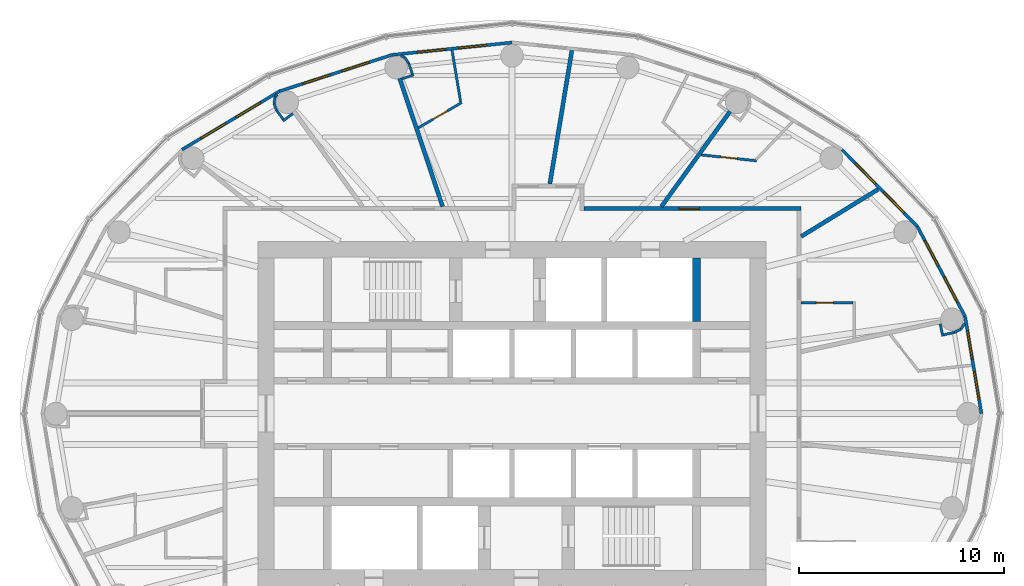
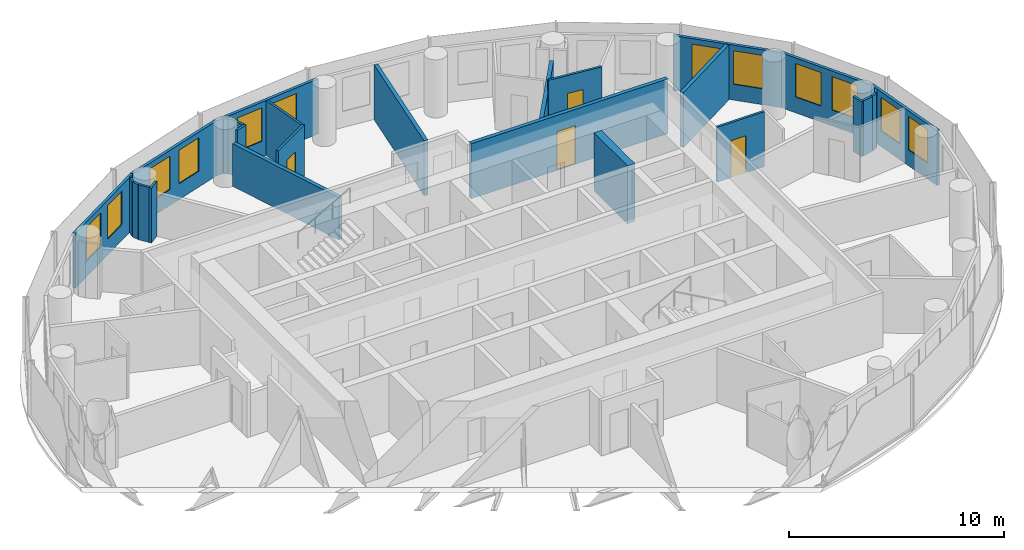
# One storey, part 11 of 13: 29 walls, 12 windows, 4 doors, 16 openings.
"""IFC4 building model written with IfcOpenShell, lengths in metres."""

from ifc_helpers import new_model, si_unit, direction, frame, frame_2d, origin, place, context, subcontext, project, spatial, rectangle, extrude, material, layer, layer_set, type_object, element, fill, save


model = new_model("IFC4")

# Units and contexts
model_context = context("Model", 3, precision=1e-05, world=origin(), true_north=direction((0.0, 1.0)))
body_context = subcontext(model_context, "Body", "Model", "MODEL_VIEW")
ifc_project = project(units=[si_unit("LENGTHUNIT", "METRE"), si_unit("AREAUNIT", "SQUARE_METRE"), si_unit("VOLUMEUNIT", "CUBIC_METRE"), si_unit("PLANEANGLEUNIT", "RADIAN"), si_unit("MASSUNIT", "GRAM", prefix="KILO")], contexts=[model_context])

# Site, building, storey
site_placement = place(None, origin())
site = spatial("IfcSite", under=ifc_project, at=site_placement, CompositionType="ELEMENT")
building_placement = place(site_placement, origin())
building = spatial("IfcBuilding", under=site, at=building_placement, Name="Hankou Lantern Tower", CompositionType="ELEMENT")
storey_placement = place(building_placement, frame((0.0, 0.0, 156.60009765625)))
storey = spatial("IfcBuildingStorey", under=building, at=storey_placement, Name="L41", CompositionType="ELEMENT", Elevation=156.60009765625)

# Wall
ifc_material_1 = material(Name="Concrete C60", Category="concrete")
ifc_layer_1 = layer(ifc_material_1, 0.39990234375)
ifc_layer_set_1 = layer_set([ifc_layer_1], Name="Concrete C60")
wall_type_1 = type_object("IfcWallType", Name="CW4 CORE CROSS WALL 400", PredefinedType="SHEAR", material=ifc_layer_set_1)
wall_1_placement = place(storey_placement, frame((9.0, 4.5, 0.0), z_axis=(0.0, 0.0, 1.0), x_axis=(0.0, 1.0, 0.0)))
element("IfcWall", 1, at=wall_1_placement, inside=storey, type_object=wall_type_1, Name="Core strip wall L41", PredefinedType="SHEAR", context=body_context, shape_type="SweptSolid", body=[
    extrude(rectangle(XDim=3.10009765625, YDim=0.39990234375, at=frame_2d((1.550048828125, 0.0))), origin(), (0.0, 0.0, 1.0), 3.2998046875),
])

# Wall, openings, windows
ifc_material_2 = material(Name="Aluminium spandrel panel on steel studs", Category="steel")
ifc_layer_2 = layer(ifc_material_2, 0.14990234375)
ifc_layer_set_2 = layer_set([ifc_layer_2], Name="Aluminium spandrel panel on steel studs")
wall_type_2 = type_object("IfcWallType", Name="EW1 INNER SKIN WALL 150", PredefinedType="ELEMENTEDWALL", material=ifc_layer_set_2)
wall_2_placement = place(storey_placement, frame((22.89990234375, 0.0, 0.0), z_axis=(0.0, 0.0, 1.0), x_axis=(-0.166162111254, 0.986098449843, 0.0)))
wall_2 = element("IfcWall", 2, at=wall_2_placement, inside=storey, type_object=wall_type_2, Name="Inner skin R01-R02 L41", PredefinedType="ELEMENTEDWALL", context=body_context, shape_type="SweptSolid", body=[
    extrude(rectangle(XDim=4.8046875, YDim=0.14990234375, at=frame_2d((2.40234375, 0.0))), origin(), (0.0, 0.0, 1.0), 3.119873046875),
])
opening_1_placement = place(wall_2_placement, frame((0.7021484375, 0.0, 0.89990234375)))
opening_1 = element("IfcOpeningElement", 3, at=opening_1_placement, cuts=wall_2, Name="Opening W3", PredefinedType="OPENING", context=body_context, shape_type="SweptSolid", body=[
    extrude(rectangle(XDim=1.39990234375, YDim=1.89990234375, at=frame_2d((0.699951171875, 0.949951171875))), frame((0.0, 0.0849609375, 0.0), z_axis=(0.0, -1.0, 0.0), x_axis=(1.0, 0.0, 0.0)), (0.0, 0.0, 1.0), 0.169921875),
])
opening_2_placement = place(wall_2_placement, frame((2.7021484375, 0.0, 0.89990234375)))
opening_2 = element("IfcOpeningElement", 4, at=opening_2_placement, cuts=wall_2, Name="Opening W3", PredefinedType="OPENING", context=body_context, shape_type="SweptSolid", body=[
    extrude(rectangle(XDim=1.39990234375, YDim=1.89990234375, at=frame_2d((0.699951171875, 0.949951171875))), frame((0.0, 0.0849609375, 0.0), z_axis=(0.0, -1.0, 0.0), x_axis=(1.0, 0.0, 0.0)), (0.0, 0.0, 1.0), 0.169921875),
])
ifc_material_3 = material(Name="Aluminium framed double glazed window", Category="aluminium")
window_type = type_object("IfcWindowType", Name="W3 GUEST ROOM WINDOW 1400X1900", PartitioningType="DOUBLE_PANEL_VERTICAL", PredefinedType="WINDOW", material=ifc_material_3)
window_1_placement = place(opening_1_placement, origin())
window_1 = element("IfcWindow", 5, at=window_1_placement, inside=storey, type_object=window_type, Name="Window R01.1 L41", OverallHeight=1.89990234375, OverallWidth=1.39990234375, PartitioningType="SINGLE_PANEL", PredefinedType="WINDOW", context=body_context, shape_type="SweptSolid", body=[
    extrude(rectangle(XDim=1.39990234375, YDim=1.89990234375, at=frame_2d((0.699951171875, 0.949951171875))), frame((0.0, 0.030029296875, 0.0), z_axis=(0.0, -1.0, 0.0), x_axis=(1.0, 0.0, 0.0)), (0.0, 0.0, 1.0), 0.06005859375),
])
fill(opening_1, window_1)
window_2_placement = place(opening_2_placement, origin())
window_2 = element("IfcWindow", 6, at=window_2_placement, inside=storey, type_object=window_type, Name="Window R01.2 L41", OverallHeight=1.89990234375, OverallWidth=1.39990234375, PartitioningType="SINGLE_PANEL", PredefinedType="WINDOW", context=body_context, shape_type="SweptSolid", body=[
    extrude(rectangle(XDim=1.39990234375, YDim=1.89990234375, at=frame_2d((0.699951171875, 0.949951171875))), frame((0.0, 0.030029296875, 0.0), z_axis=(0.0, -1.0, 0.0), x_axis=(1.0, 0.0, 0.0)), (0.0, 0.0, 1.0), 0.06005859375),
])
fill(opening_2, window_2)

wall_3_placement = place(storey_placement, frame((22.1015625, 4.73779296875, 0.0), z_axis=(0.0, 0.0, 1.0), x_axis=(-0.468428906714, 0.883501193748, 0.0)))
wall_3 = element("IfcWall", 7, at=wall_3_placement, inside=storey, type_object=wall_type_2, Name="Inner skin R02-R03 L41", PredefinedType="ELEMENTEDWALL", context=body_context, shape_type="SweptSolid", body=[
    extrude(rectangle(XDim=4.9736328125, YDim=0.14990234375, at=frame_2d((2.48681640625, 0.0))), origin(), (0.0, 0.0, 1.0), 3.119873046875),
])
opening_3_placement = place(wall_3_placement, frame((0.786865234375, 0.0, 0.89990234375)))
opening_3 = element("IfcOpeningElement", 8, at=opening_3_placement, cuts=wall_3, Name="Opening W3", PredefinedType="OPENING", context=body_context, shape_type="SweptSolid", body=[
    extrude(rectangle(XDim=1.39990234375, YDim=1.89990234375, at=frame_2d((0.699951171875, 0.949951171875))), frame((0.0, 0.0849609375, 0.0), z_axis=(0.0, -1.0, 0.0), x_axis=(1.0, 0.0, 0.0)), (0.0, 0.0, 1.0), 0.169921875),
])
opening_4_placement = place(wall_3_placement, frame((2.786865234375, 0.0, 0.89990234375)))
opening_4 = element("IfcOpeningElement", 9, at=opening_4_placement, cuts=wall_3, Name="Opening W3", PredefinedType="OPENING", context=body_context, shape_type="SweptSolid", body=[
    extrude(rectangle(XDim=1.39990234375, YDim=1.89990234375, at=frame_2d((0.699951171875, 0.949951171875))), frame((0.0, 0.0849609375, 0.0), z_axis=(0.0, -1.0, 0.0), x_axis=(1.0, 0.0, 0.0)), (0.0, 0.0, 1.0), 0.169921875),
])
window_3_placement = place(opening_3_placement, origin())
window_3 = element("IfcWindow", 10, at=window_3_placement, inside=storey, type_object=window_type, Name="Window R02.1 L41", OverallHeight=1.89990234375, OverallWidth=1.39990234375, PartitioningType="SINGLE_PANEL", PredefinedType="WINDOW", context=body_context, shape_type="SweptSolid", body=[
    extrude(rectangle(XDim=1.39990234375, YDim=1.89990234375, at=frame_2d((0.699951171875, 0.949951171875))), frame((0.0, 0.030029296875, 0.0), z_axis=(0.0, -1.0, 0.0), x_axis=(1.0, 0.0, 0.0)), (0.0, 0.0, 1.0), 0.06005859375),
])
fill(opening_3, window_3)
window_4_placement = place(opening_4_placement, origin())
window_4 = element("IfcWindow", 11, at=window_4_placement, inside=storey, type_object=window_type, Name="Window R02.2 L41", OverallHeight=1.89990234375, OverallWidth=1.39990234375, PartitioningType="SINGLE_PANEL", PredefinedType="WINDOW", context=body_context, shape_type="SweptSolid", body=[
    extrude(rectangle(XDim=1.39990234375, YDim=1.89990234375, at=frame_2d((0.699951171875, 0.949951171875))), frame((0.0, 0.030029296875, 0.0), z_axis=(0.0, -1.0, 0.0), x_axis=(1.0, 0.0, 0.0)), (0.0, 0.0, 1.0), 0.06005859375),
])
fill(opening_4, window_4)

wall_4_placement = place(storey_placement, frame((19.771728515625, 9.132080078125, 0.0), z_axis=(0.0, 0.0, 1.0), x_axis=(-0.700727467776, 0.71342905457, 0.0)))
wall_4 = element("IfcWall", 12, at=wall_4_placement, inside=storey, type_object=wall_type_2, Name="Inner skin R03-R04 L41", PredefinedType="ELEMENTEDWALL", context=body_context, shape_type="SweptSolid", body=[
    extrude(rectangle(XDim=5.247314453125, YDim=0.14990234375, at=frame_2d((2.62353515625, 0.0))), origin(), (0.0, 0.0, 1.0), 3.119873046875),
])
opening_5_placement = place(wall_4_placement, frame((0.923583984375, 0.0, 0.89990234375)))
opening_5 = element("IfcOpeningElement", 13, at=opening_5_placement, cuts=wall_4, Name="Opening W3", PredefinedType="OPENING", context=body_context, shape_type="SweptSolid", body=[
    extrude(rectangle(XDim=1.39990234375, YDim=1.89990234375, at=frame_2d((0.699951171875, 0.949951171875))), frame((0.0, 0.0849609375, 0.0), z_axis=(0.0, -1.0, 0.0), x_axis=(1.0, 0.0, 0.0)), (0.0, 0.0, 1.0), 0.169921875),
])
opening_6_placement = place(wall_4_placement, frame((2.923583984375, 0.0, 0.89990234375)))
opening_6 = element("IfcOpeningElement", 14, at=opening_6_placement, cuts=wall_4, Name="Opening W3", PredefinedType="OPENING", context=body_context, shape_type="SweptSolid", body=[
    extrude(rectangle(XDim=1.39990234375, YDim=1.89990234375, at=frame_2d((0.699951171875, 0.949951171875))), frame((0.0, 0.0849609375, 0.0), z_axis=(0.0, -1.0, 0.0), x_axis=(1.0, 0.0, 0.0)), (0.0, 0.0, 1.0), 0.169921875),
])
window_5_placement = place(opening_5_placement, origin())
window_5 = element("IfcWindow", 15, at=window_5_placement, inside=storey, type_object=window_type, Name="Window R03.1 L41", OverallHeight=1.89990234375, OverallWidth=1.39990234375, PartitioningType="SINGLE_PANEL", PredefinedType="WINDOW", context=body_context, shape_type="SweptSolid", body=[
    extrude(rectangle(XDim=1.39990234375, YDim=1.89990234375, at=frame_2d((0.699951171875, 0.949951171875))), frame((0.0, 0.030029296875, 0.0), z_axis=(0.0, -1.0, 0.0), x_axis=(1.0, 0.0, 0.0)), (0.0, 0.0, 1.0), 0.06005859375),
])
fill(opening_5, window_5)
window_6_placement = place(opening_6_placement, origin())
window_6 = element("IfcWindow", 16, at=window_6_placement, inside=storey, type_object=window_type, Name="Window R03.2 L41", OverallHeight=1.89990234375, OverallWidth=1.39990234375, PartitioningType="SINGLE_PANEL", PredefinedType="WINDOW", context=body_context, shape_type="SweptSolid", body=[
    extrude(rectangle(XDim=1.39990234375, YDim=1.89990234375, at=frame_2d((0.699951171875, 0.949951171875))), frame((0.0, 0.030029296875, 0.0), z_axis=(0.0, -1.0, 0.0), x_axis=(1.0, 0.0, 0.0)), (0.0, 0.0, 1.0), 0.06005859375),
])
fill(opening_6, window_6)

wall_5_placement = place(storey_placement, frame((0.0, 18.10009765625, 0.0), z_axis=(0.0, 0.0, 1.0), x_axis=(-0.994751738032, -0.102318032045, 0.0)))
wall_5 = element("IfcWall", 17, at=wall_5_placement, inside=storey, type_object=wall_type_2, Name="Inner skin R07-R08 L41", PredefinedType="ELEMENTEDWALL", context=body_context, shape_type="SweptSolid", body=[
    extrude(rectangle(XDim=5.891357421875, YDim=0.14990234375, at=frame_2d((2.94580078125, 0.0))), origin(), (0.0, 0.0, 1.0), 3.119873046875),
])
opening_7_placement = place(wall_5_placement, frame((1.24560546875, 0.0, 0.89990234375)))
opening_7 = element("IfcOpeningElement", 18, at=opening_7_placement, cuts=wall_5, Name="Opening W3", PredefinedType="OPENING", context=body_context, shape_type="SweptSolid", body=[
    extrude(rectangle(XDim=1.39990234375, YDim=1.89990234375, at=frame_2d((0.699951171875, 0.949951171875))), frame((0.0, 0.0849609375, 0.0), z_axis=(0.0, -1.0, 0.0), x_axis=(1.0, 0.0, 0.0)), (0.0, 0.0, 1.0), 0.169921875),
])
opening_8_placement = place(wall_5_placement, frame((3.24560546875, 0.0, 0.89990234375)))
opening_8 = element("IfcOpeningElement", 19, at=opening_8_placement, cuts=wall_5, Name="Opening W3", PredefinedType="OPENING", context=body_context, shape_type="SweptSolid", body=[
    extrude(rectangle(XDim=1.39990234375, YDim=1.89990234375, at=frame_2d((0.699951171875, 0.949951171875))), frame((0.0, 0.0849609375, 0.0), z_axis=(0.0, -1.0, 0.0), x_axis=(1.0, 0.0, 0.0)), (0.0, 0.0, 1.0), 0.169921875),
])
window_7_placement = place(opening_7_placement, origin())
window_7 = element("IfcWindow", 20, at=window_7_placement, inside=storey, type_object=window_type, Name="Window R07.1 L41", OverallHeight=1.89990234375, OverallWidth=1.39990234375, PartitioningType="SINGLE_PANEL", PredefinedType="WINDOW", context=body_context, shape_type="SweptSolid", body=[
    extrude(rectangle(XDim=1.39990234375, YDim=1.89990234375, at=frame_2d((0.699951171875, 0.949951171875))), frame((0.0, 0.030029296875, 0.0), z_axis=(0.0, -1.0, 0.0), x_axis=(1.0, 0.0, 0.0)), (0.0, 0.0, 1.0), 0.06005859375),
])
fill(opening_7, window_7)
window_8_placement = place(opening_8_placement, origin())
window_8 = element("IfcWindow", 21, at=window_8_placement, inside=storey, type_object=window_type, Name="Window R07.2 L41", OverallHeight=1.89990234375, OverallWidth=1.39990234375, PartitioningType="SINGLE_PANEL", PredefinedType="WINDOW", context=body_context, shape_type="SweptSolid", body=[
    extrude(rectangle(XDim=1.39990234375, YDim=1.89990234375, at=frame_2d((0.699951171875, 0.949951171875))), frame((0.0, 0.030029296875, 0.0), z_axis=(0.0, -1.0, 0.0), x_axis=(1.0, 0.0, 0.0)), (0.0, 0.0, 1.0), 0.06005859375),
])
fill(opening_8, window_8)

wall_6_placement = place(storey_placement, frame((-5.8603515625, 17.497314453125, 0.0), z_axis=(0.0, 0.0, 1.0), x_axis=(-0.951432482129, -0.307857486429, 0.0)))
wall_6 = element("IfcWall", 22, at=wall_6_placement, inside=storey, type_object=wall_type_2, Name="Inner skin R08-R09 L41", PredefinedType="ELEMENTEDWALL", context=body_context, shape_type="SweptSolid", body=[
    extrude(rectangle(XDim=5.76611328125, YDim=0.14990234375, at=frame_2d((2.883056640625, 0.0))), origin(), (0.0, 0.0, 1.0), 3.119873046875),
])
opening_9_placement = place(wall_6_placement, frame((1.18310546875, 0.0, 0.89990234375)))
opening_9 = element("IfcOpeningElement", 23, at=opening_9_placement, cuts=wall_6, Name="Opening W3", PredefinedType="OPENING", context=body_context, shape_type="SweptSolid", body=[
    extrude(rectangle(XDim=1.39990234375, YDim=1.89990234375, at=frame_2d((0.699951171875, 0.949951171875))), frame((0.0, 0.0849609375, 0.0), z_axis=(0.0, -1.0, 0.0), x_axis=(1.0, 0.0, 0.0)), (0.0, 0.0, 1.0), 0.169921875),
])
opening_10_placement = place(wall_6_placement, frame((3.18310546875, 0.0, 0.89990234375)))
opening_10 = element("IfcOpeningElement", 24, at=opening_10_placement, cuts=wall_6, Name="Opening W3", PredefinedType="OPENING", context=body_context, shape_type="SweptSolid", body=[
    extrude(rectangle(XDim=1.39990234375, YDim=1.89990234375, at=frame_2d((0.699951171875, 0.949951171875))), frame((0.0, 0.0849609375, 0.0), z_axis=(0.0, -1.0, 0.0), x_axis=(1.0, 0.0, 0.0)), (0.0, 0.0, 1.0), 0.169921875),
])
window_9_placement = place(opening_9_placement, origin())
window_9 = element("IfcWindow", 25, at=window_9_placement, inside=storey, type_object=window_type, Name="Window R08.1 L41", OverallHeight=1.89990234375, OverallWidth=1.39990234375, PartitioningType="SINGLE_PANEL", PredefinedType="WINDOW", context=body_context, shape_type="SweptSolid", body=[
    extrude(rectangle(XDim=1.39990234375, YDim=1.89990234375, at=frame_2d((0.699951171875, 0.949951171875))), frame((0.0, 0.030029296875, 0.0), z_axis=(0.0, -1.0, 0.0), x_axis=(1.0, 0.0, 0.0)), (0.0, 0.0, 1.0), 0.06005859375),
])
fill(opening_9, window_9)
window_10_placement = place(opening_10_placement, origin())
window_10 = element("IfcWindow", 26, at=window_10_placement, inside=storey, type_object=window_type, Name="Window R08.2 L41", OverallHeight=1.89990234375, OverallWidth=1.39990234375, PartitioningType="SINGLE_PANEL", PredefinedType="WINDOW", context=body_context, shape_type="SweptSolid", body=[
    extrude(rectangle(XDim=1.39990234375, YDim=1.89990234375, at=frame_2d((0.699951171875, 0.949951171875))), frame((0.0, 0.030029296875, 0.0), z_axis=(0.0, -1.0, 0.0), x_axis=(1.0, 0.0, 0.0)), (0.0, 0.0, 1.0), 0.06005859375),
])
fill(opening_10, window_10)

wall_7_placement = place(storey_placement, frame((-11.346435546875, 15.72216796875, 0.0), z_axis=(0.0, 0.0, 1.0), x_axis=(-0.857695199231, -0.514158482587, 0.0)))
wall_7 = element("IfcWall", 27, at=wall_7_placement, inside=storey, type_object=wall_type_2, Name="Inner skin R09-R10 L41", PredefinedType="ELEMENTEDWALL", context=body_context, shape_type="SweptSolid", body=[
    extrude(rectangle(XDim=5.5361328125, YDim=0.14990234375, at=frame_2d((2.76806640625, 0.0))), origin(), (0.0, 0.0, 1.0), 3.119873046875),
])
opening_11_placement = place(wall_7_placement, frame((1.068115234375, 0.0, 0.89990234375)))
opening_11 = element("IfcOpeningElement", 28, at=opening_11_placement, cuts=wall_7, Name="Opening W3", PredefinedType="OPENING", context=body_context, shape_type="SweptSolid", body=[
    extrude(rectangle(XDim=1.39990234375, YDim=1.89990234375, at=frame_2d((0.699951171875, 0.949951171875))), frame((0.0, 0.0849609375, 0.0), z_axis=(0.0, -1.0, 0.0), x_axis=(1.0, 0.0, 0.0)), (0.0, 0.0, 1.0), 0.169921875),
])
opening_12_placement = place(wall_7_placement, frame((3.068115234375, 0.0, 0.89990234375)))
opening_12 = element("IfcOpeningElement", 29, at=opening_12_placement, cuts=wall_7, Name="Opening W3", PredefinedType="OPENING", context=body_context, shape_type="SweptSolid", body=[
    extrude(rectangle(XDim=1.39990234375, YDim=1.89990234375, at=frame_2d((0.699951171875, 0.949951171875))), frame((0.0, 0.0849609375, 0.0), z_axis=(0.0, -1.0, 0.0), x_axis=(1.0, 0.0, 0.0)), (0.0, 0.0, 1.0), 0.169921875),
])
window_11_placement = place(opening_11_placement, origin())
window_11 = element("IfcWindow", 30, at=window_11_placement, inside=storey, type_object=window_type, Name="Window R09.1 L41", OverallHeight=1.89990234375, OverallWidth=1.39990234375, PartitioningType="SINGLE_PANEL", PredefinedType="WINDOW", context=body_context, shape_type="SweptSolid", body=[
    extrude(rectangle(XDim=1.39990234375, YDim=1.89990234375, at=frame_2d((0.699951171875, 0.949951171875))), frame((0.0, 0.030029296875, 0.0), z_axis=(0.0, -1.0, 0.0), x_axis=(1.0, 0.0, 0.0)), (0.0, 0.0, 1.0), 0.06005859375),
])
fill(opening_11, window_11)
window_12_placement = place(opening_12_placement, origin())
window_12 = element("IfcWindow", 31, at=window_12_placement, inside=storey, type_object=window_type, Name="Window R09.2 L41", OverallHeight=1.89990234375, OverallWidth=1.39990234375, PartitioningType="SINGLE_PANEL", PredefinedType="WINDOW", context=body_context, shape_type="SweptSolid", body=[
    extrude(rectangle(XDim=1.39990234375, YDim=1.89990234375, at=frame_2d((0.699951171875, 0.949951171875))), frame((0.0, 0.030029296875, 0.0), z_axis=(0.0, -1.0, 0.0), x_axis=(1.0, 0.0, 0.0)), (0.0, 0.0, 1.0), 0.06005859375),
])
fill(opening_12, window_12)

# Walls
ifc_material_4 = material(Name="Masonry lightweight concrete block", Category="masonry")
ifc_layer_3 = layer(ifc_material_4, 0.199951171875)
ifc_layer_set_3 = layer_set([ifc_layer_3], Name="Masonry lightweight concrete block")
wall_type_3 = type_object("IfcWallType", Name="IW1 GUEST ROOM PARTY WALL 200", PredefinedType="PARTITIONING", material=ifc_layer_set_3)
wall_8_placement = place(storey_placement, frame((14.10009765625, 8.63623046875, 0.0), z_axis=(0.0, 0.0, 1.0), x_axis=(0.852731884196, 0.522348862041, 0.0)))
element("IfcWall", 32, at=wall_8_placement, inside=storey, type_object=wall_type_3, Name="Party wall R03-R04", PredefinedType="PARTITIONING", context=body_context, shape_type="SweptSolid", body=[
    extrude(rectangle(XDim=4.404296875, YDim=0.199951171875, at=frame_2d((2.2021484375, 0.0))), origin(), (0.0, 0.0, 1.0), 3.119873046875),
])
wall_9_placement = place(storey_placement, frame((7.2890625, 10.10009765625, 0.0), z_axis=(0.0, 0.0, 1.0), x_axis=(0.585222595178, 0.810872686735, 0.0)))
element("IfcWall", 33, at=wall_9_placement, inside=storey, type_object=wall_type_3, Name="Party wall R05", PredefinedType="PARTITIONING", context=body_context, shape_type="SweptSolid", body=[
    extrude(rectangle(XDim=5.722412109375, YDim=0.199951171875, at=frame_2d((2.861328125, 0.0))), origin(), (0.0, 0.0, 1.0), 2.419921875),
])
wall_10_placement = place(storey_placement, frame((1.8466796875, 11.199951171875, 0.0), z_axis=(0.0, 0.0, 1.0), x_axis=(0.162695449404, 0.986676335352, 0.0)))
element("IfcWall", 34, at=wall_10_placement, inside=storey, type_object=wall_type_3, Name="Party wall R06-R07", PredefinedType="PARTITIONING", context=body_context, shape_type="SweptSolid", body=[
    extrude(rectangle(XDim=6.60107421875, YDim=0.199951171875, at=frame_2d((3.300537109375, 0.0))), origin(), (0.0, 0.0, 1.0), 3.119873046875),
])

# Wall, opening, door
ifc_material_5 = material(Name="Masonry lightweight concrete block", Category="masonry")
ifc_layer_4 = layer(ifc_material_5, 0.199951171875)
ifc_layer_set_4 = layer_set([ifc_layer_4], Name="Masonry lightweight concrete block")
wall_type_4 = type_object("IfcWallType", Name="IW2 CORRIDOR WALL 200", PredefinedType="PARTITIONING", material=ifc_layer_set_4)
wall_11_placement = place(storey_placement, frame((3.51806640625, 10.0, 0.0), z_axis=(0.0, 0.0, 1.0), x_axis=(1.0, 0.0, 0.0)))
wall_11 = element("IfcWall", 35, at=wall_11_placement, inside=storey, type_object=wall_type_4, Name="Corridor wall north", PredefinedType="PARTITIONING", context=body_context, shape_type="SweptSolid", body=[
    extrude(rectangle(XDim=10.58203125, YDim=0.199951171875, at=frame_2d((5.291015625, 0.0))), origin(), (0.0, 0.0, 1.0), 3.119873046875),
])
opening_13_placement = place(wall_11_placement, frame((4.620849609375, 0.0, 0.0)))
opening_13 = element("IfcOpeningElement", 36, at=opening_13_placement, cuts=wall_11, Name="Opening D1", PredefinedType="OPENING", context=body_context, shape_type="SweptSolid", body=[
    extrude(rectangle(XDim=1.0, YDim=2.199951171875, at=frame_2d((0.5, 1.10009765625))), frame((0.0, 0.10986328125, 0.0), z_axis=(0.0, -1.0, 0.0), x_axis=(1.0, 0.0, 0.0)), (0.0, 0.0, 1.0), 0.219970703125),
])
ifc_material_6 = material(Name="Steel door leaf", Category="steel")
door_type_1 = type_object("IfcDoorType", Name="D1 GUEST ROOM DOOR 1000X2200", OperationType="SINGLE_SWING_LEFT", PredefinedType="DOOR", material=ifc_material_6)
door_1_placement = place(opening_13_placement, origin())
door_1 = element("IfcDoor", 37, at=door_1_placement, inside=storey, type_object=door_type_1, Name="Guest room door 4113", OperationType="SINGLE_SWING_LEFT", OverallHeight=2.199951171875, OverallWidth=1.0, PredefinedType="DOOR", context=body_context, shape_type="SweptSolid", body=[
    extrude(rectangle(XDim=1.0, YDim=2.199951171875, at=frame_2d((0.5, 1.10009765625))), frame((0.0, 0.02490234375, 0.0), z_axis=(0.0, -1.0, 0.0), x_axis=(1.0, 0.0, 0.0)), (0.0, 0.0, 1.0), 0.050048828125),
])
fill(opening_13, door_1)

# Walls
ifc_material_7 = material(Name="Masonry lightweight concrete block", Category="masonry")
ifc_layer_5 = layer(ifc_material_7, 0.1201171875)
ifc_layer_set_5 = layer_set([ifc_layer_5], Name="Masonry lightweight concrete block")
wall_type_5 = type_object("IfcWallType", Name="IW3 BATHROOM WALL 120", PredefinedType="PARTITIONING", material=ifc_layer_set_5)
wall_12_placement = place(storey_placement, frame((20.88720703125, 4.375, 0.0), z_axis=(0.0, 0.0, 1.0), x_axis=(0.209746941802, -0.977755705892, 0.0)))
element("IfcWall", 38, at=wall_12_placement, inside=storey, type_object=wall_type_5, Name="Column casing 4111 return", PredefinedType="PARTITIONING", context=body_context, shape_type="SweptSolid", body=[
    extrude(rectangle(XDim=0.6123046875, YDim=0.1201171875, at=frame_2d((0.30615234375, 0.0))), origin(), (0.0, 0.0, 1.0), 3.119873046875),
])
wall_13_placement = place(storey_placement, frame((21.061767578125, 3.84765625, 0.0), z_axis=(0.0, 0.0, 1.0), x_axis=(0.977789415726, 0.209589738521, 0.0)))
element("IfcWall", 39, at=wall_13_placement, inside=storey, type_object=wall_type_5, Name="Column casing 4111", PredefinedType="PARTITIONING", context=body_context, shape_type="SweptSolid", body=[
    extrude(rectangle(XDim=0.5498046875, YDim=0.1201171875, at=frame_2d((0.27490234375, 0.0))), origin(), (0.0, 0.0, 1.0), 3.119873046875),
])
wall_14_placement = place(storey_placement, frame((21.599365234375, 3.962890625, 0.0), z_axis=(0.0, 0.0, 1.0), x_axis=(0.890193602875, 0.455582428766, 0.0)))
element("IfcWall", 40, at=wall_14_placement, inside=storey, type_object=wall_type_5, Name="Column casing 4111", PredefinedType="PARTITIONING", context=body_context, shape_type="SweptSolid", body=[
    extrude(rectangle(XDim=0.337646484375, YDim=0.1201171875, at=frame_2d((0.1689453125, 0.0))), origin(), (0.0, 0.0, 1.0), 3.119873046875),
])
wall_15_placement = place(storey_placement, frame((21.89990234375, 4.11669921875, 0.0), z_axis=(0.0, 0.0, 1.0), x_axis=(0.543582688681, 0.839355622228, 0.0)))
element("IfcWall", 41, at=wall_15_placement, inside=storey, type_object=wall_type_5, Name="Column casing 4111", PredefinedType="PARTITIONING", context=body_context, shape_type="SweptSolid", body=[
    extrude(rectangle(XDim=0.3359375, YDim=0.1201171875, at=frame_2d((0.16796875, 0.0))), origin(), (0.0, 0.0, 1.0), 3.119873046875),
])

# Wall, opening, door
wall_16_placement = place(storey_placement, frame((14.10009765625, 5.402587890625, 0.0), z_axis=(0.0, 0.0, 1.0), x_axis=(1.0, 0.0, 0.0)))
wall_16 = element("IfcWall", 42, at=wall_16_placement, inside=storey, type_object=wall_type_5, Name="Box wall 4112 1", PredefinedType="PARTITIONING", context=body_context, shape_type="SweptSolid", body=[
    extrude(rectangle(XDim=2.539794921875, YDim=0.1201171875, at=frame_2d((1.27001953125, 0.0))), origin(), (0.0, 0.0, 1.0), 3.119873046875),
])
opening_14_placement = place(wall_16_placement, frame((0.75, 0.0, 0.0)))
opening_14 = element("IfcOpeningElement", 43, at=opening_14_placement, cuts=wall_16, Name="Opening D3", PredefinedType="OPENING", context=body_context, shape_type="SweptSolid", body=[
    extrude(rectangle(XDim=0.800048828125, YDim=2.10009765625, at=frame_2d((0.39990234375, 1.050048828125))), frame((0.0, 0.070068359375, 0.0), z_axis=(0.0, -1.0, 0.0), x_axis=(1.0, 0.0, 0.0)), (0.0, 0.0, 1.0), 0.14013671875),
])
ifc_material_8 = material(Name="Timber door leaf", Category="wood")
door_type_2 = type_object("IfcDoorType", Name="D3 BATHROOM DOOR 800X2100", OperationType="SINGLE_SWING_LEFT", PredefinedType="DOOR", material=ifc_material_8)
door_2_placement = place(opening_14_placement, origin())
door_2 = element("IfcDoor", 44, at=door_2_placement, inside=storey, type_object=door_type_2, Name="En-suite bathroom 4112 door", OperationType="SINGLE_SWING_LEFT", OverallHeight=2.10009765625, OverallWidth=0.800048828125, PredefinedType="DOOR", context=body_context, shape_type="SweptSolid", body=[
    extrude(rectangle(XDim=0.800048828125, YDim=2.10009765625, at=frame_2d((0.39990234375, 1.050048828125))), frame((0.0, 0.02490234375, 0.0), z_axis=(0.0, -1.0, 0.0), x_axis=(1.0, 0.0, 0.0)), (0.0, 0.0, 1.0), 0.050048828125),
])
fill(opening_14, door_2)

wall_17_placement = place(storey_placement, frame((9.23095703125, 12.619873046875, 0.0), z_axis=(0.0, 0.0, 1.0), x_axis=(0.99437860496, -0.10588290701, 0.0)))
wall_17 = element("IfcWall", 45, at=wall_17_placement, inside=storey, type_object=wall_type_5, Name="Box wall 4113 1", PredefinedType="PARTITIONING", context=body_context, shape_type="SweptSolid", body=[
    extrude(rectangle(XDim=2.70458984375, YDim=0.1201171875, at=frame_2d((1.352294921875, 0.0))), origin(), (0.0, 0.0, 1.0), 3.119873046875),
])
opening_15_placement = place(wall_17_placement, frame((0.952392578125, 0.0, 0.0)))
opening_15 = element("IfcOpeningElement", 46, at=opening_15_placement, cuts=wall_17, Name="Opening D3", PredefinedType="OPENING", context=body_context, shape_type="SweptSolid", body=[
    extrude(rectangle(XDim=0.800048828125, YDim=2.10009765625, at=frame_2d((0.39990234375, 1.050048828125))), frame((0.0, 0.070068359375, 0.0), z_axis=(0.0, -1.0, 0.0), x_axis=(1.0, 0.0, 0.0)), (0.0, 0.0, 1.0), 0.14013671875),
])
door_3_placement = place(opening_15_placement, origin())
door_3 = element("IfcDoor", 47, at=door_3_placement, inside=storey, type_object=door_type_2, Name="En-suite bathroom 4113 door", OperationType="SINGLE_SWING_LEFT", OverallHeight=2.10009765625, OverallWidth=0.800048828125, PredefinedType="DOOR", context=body_context, shape_type="SweptSolid", body=[
    extrude(rectangle(XDim=0.800048828125, YDim=2.10009765625, at=frame_2d((0.39990234375, 1.050048828125))), frame((0.0, 0.02490234375, 0.0), z_axis=(0.0, -1.0, 0.0), x_axis=(1.0, 0.0, 0.0)), (0.0, 0.0, 1.0), 0.050048828125),
])
fill(opening_15, door_3)

wall_18_placement = place(storey_placement, frame((-4.564208984375, 13.94189453125, 0.0), z_axis=(0.0, 0.0, 1.0), x_axis=(0.863717519451, 0.503976236139, 0.0)))
wall_18 = element("IfcWall", 48, at=wall_18_placement, inside=storey, type_object=wall_type_5, Name="Box wall 4115 1", PredefinedType="PARTITIONING", context=body_context, shape_type="SweptSolid", body=[
    extrude(rectangle(XDim=2.45263671875, YDim=0.1201171875, at=frame_2d((1.226318359375, 0.0))), origin(), (0.0, 0.0, 1.0), 3.119873046875),
])
opening_16_placement = place(wall_18_placement, frame((0.826171875, 0.0, 0.0)))
opening_16 = element("IfcOpeningElement", 49, at=opening_16_placement, cuts=wall_18, Name="Opening D3", PredefinedType="OPENING", context=body_context, shape_type="SweptSolid", body=[
    extrude(rectangle(XDim=0.800048828125, YDim=2.10009765625, at=frame_2d((0.39990234375, 1.050048828125))), frame((0.0, 0.070068359375, 0.0), z_axis=(0.0, -1.0, 0.0), x_axis=(1.0, 0.0, 0.0)), (0.0, 0.0, 1.0), 0.14013671875),
])
door_4_placement = place(opening_16_placement, origin())
door_4 = element("IfcDoor", 50, at=door_4_placement, inside=storey, type_object=door_type_2, Name="En-suite bathroom 4115 door", OperationType="SINGLE_SWING_LEFT", OverallHeight=2.10009765625, OverallWidth=0.800048828125, PredefinedType="DOOR", context=body_context, shape_type="SweptSolid", body=[
    extrude(rectangle(XDim=0.800048828125, YDim=2.10009765625, at=frame_2d((0.39990234375, 1.050048828125))), frame((0.0, 0.02490234375, 0.0), z_axis=(0.0, -1.0, 0.0), x_axis=(1.0, 0.0, 0.0)), (0.0, 0.0, 1.0), 0.050048828125),
])
fill(opening_16, door_4)

# Walls
wall_19_placement = place(storey_placement, frame((-2.507568359375, 15.20703125, 0.0), z_axis=(0.0, 0.0, 1.0), x_axis=(-0.162637365963, 0.986685911115, 0.0)))
element("IfcWall", 51, at=wall_19_placement, inside=storey, type_object=wall_type_5, Name="Box wall 4115 2", PredefinedType="PARTITIONING", context=body_context, shape_type="SweptSolid", body=[
    extrude(rectangle(XDim=2.5400390625, YDim=0.1201171875, at=frame_2d((1.27001953125, 0.0))), origin(), (0.0, 0.0, 1.0), 3.119873046875),
])
wall_20_placement = place(storey_placement, frame((-5.3642578125, 16.330810546875, 0.0), z_axis=(0.0, 0.0, 1.0), x_axis=(0.948283770087, 0.317423835572, 0.0)))
element("IfcWall", 52, at=wall_20_placement, inside=storey, type_object=wall_type_5, Name="Column casing 4115 return", PredefinedType="PARTITIONING", context=body_context, shape_type="SweptSolid", body=[
    extrude(rectangle(XDim=0.6123046875, YDim=0.1201171875, at=frame_2d((0.30615234375, 0.0))), origin(), (0.0, 0.0, 1.0), 3.119873046875),
])
wall_21_placement = place(storey_placement, frame((-4.859619140625, 16.56298828125, 0.0), z_axis=(0.0, 0.0, 1.0), x_axis=(-0.317825321803, 0.948149284038, 0.0)))
element("IfcWall", 53, at=wall_21_placement, inside=storey, type_object=wall_type_5, Name="Column casing 4115", PredefinedType="PARTITIONING", context=body_context, shape_type="SweptSolid", body=[
    extrude(rectangle(XDim=0.550048828125, YDim=0.1201171875, at=frame_2d((0.27490234375, 0.0))), origin(), (0.0, 0.0, 1.0), 3.119873046875),
])
wall_22_placement = place(storey_placement, frame((-5.034423828125, 17.08447265625, 0.0), z_axis=(0.0, 0.0, 1.0), x_axis=(-0.552362205726, 0.833604218851, 0.0)))
element("IfcWall", 54, at=wall_22_placement, inside=storey, type_object=wall_type_5, Name="Column casing 4115", PredefinedType="PARTITIONING", context=body_context, shape_type="SweptSolid", body=[
    extrude(rectangle(XDim=0.337646484375, YDim=0.1201171875, at=frame_2d((0.1689453125, 0.0))), origin(), (0.0, 0.0, 1.0), 3.119873046875),
])
wall_23_placement = place(storey_placement, frame((-5.220947265625, 17.365966796875, 0.0), z_axis=(0.0, 0.0, 1.0), x_axis=(-0.895067896179, 0.445929883759, 0.0)))
element("IfcWall", 55, at=wall_23_placement, inside=storey, type_object=wall_type_5, Name="Column casing 4115", PredefinedType="PARTITIONING", context=body_context, shape_type="SweptSolid", body=[
    extrude(rectangle(XDim=0.228271484375, YDim=0.1201171875, at=frame_2d((0.1142578125, 0.0))), origin(), (0.0, 0.0, 1.0), 3.119873046875),
])
ifc_material_9 = material(Name="Masonry lightweight concrete block", Category="masonry")
ifc_layer_6 = layer(ifc_material_9, 0.1201171875)
ifc_layer_set_6 = layer_set([ifc_layer_6], Name="Masonry lightweight concrete block")
wall_type_6 = type_object("IfcWallType", Name="IW4 PARTITION 120", PredefinedType="PARTITIONING", material=ifc_layer_set_6)
wall_24_placement = place(storey_placement, frame((-10.683837890625, 14.633056640625, 0.0), z_axis=(0.0, 0.0, 1.0), x_axis=(-0.810921075692, -0.585155542568, 0.0)))
element("IfcWall", 56, at=wall_24_placement, inside=storey, type_object=wall_type_6, Name="Column casing R09 return", PredefinedType="PARTITIONING", context=body_context, shape_type="SweptSolid", body=[
    extrude(rectangle(XDim=0.612060546875, YDim=0.1201171875, at=frame_2d((0.30615234375, 0.0))), origin(), (0.0, 0.0, 1.0), 3.119873046875),
])
wall_25_placement = place(storey_placement, frame((-11.166748046875, 14.358642578125, 0.0), z_axis=(0.0, 0.0, 1.0), x_axis=(-0.585263549799, 0.810843127415, 0.0)))
element("IfcWall", 57, at=wall_25_placement, inside=storey, type_object=wall_type_6, Name="Column casing R09", PredefinedType="PARTITIONING", context=body_context, shape_type="SweptSolid", body=[
    extrude(rectangle(XDim=0.5498046875, YDim=0.1201171875, at=frame_2d((0.27490234375, 0.0))), origin(), (0.0, 0.0, 1.0), 3.119873046875),
])
for number, where, z_axis, x_axis, name in (
    (58, (-11.488525390625, 14.804443359375, 0.0), (0.0, 0.0, 1.0), (-0.355634599475, 0.934625075448, 0.0), "Column casing R09"),
    (59, (-11.608642578125, 15.1201171875, 0.0), (0.0, 0.0, 1.0), (0.159823572519, 0.987145594969, 0.0), "Column casing R09"),
):
    element("IfcWall", number, at=place(storey_placement, frame(where, z_axis=z_axis, x_axis=x_axis)), inside=storey, type_object=wall_type_6, Name=name, PredefinedType="PARTITIONING", context=body_context, shape_type="SweptSolid", body=[
        extrude(rectangle(XDim=0.337646484375, YDim=0.1201171875, at=frame_2d((0.1689453125, 0.0))), origin(), (0.0, 0.0, 1.0), 3.119873046875),
    ])
wall_26_placement = place(storey_placement, frame((-11.5546875, 15.453369140625, 0.0), z_axis=(0.0, 0.0, 1.0), x_axis=(0.631711901025, 0.775203246964, 0.0)))
element("IfcWall", 60, at=wall_26_placement, inside=storey, type_object=wall_type_6, Name="Column casing R09", PredefinedType="PARTITIONING", context=body_context, shape_type="SweptSolid", body=[
    extrude(rectangle(XDim=0.139404296875, YDim=0.1201171875, at=frame_2d((0.06982421875, 0.0))), origin(), (0.0, 0.0, 1.0), 3.119873046875),
])
ifc_material_10 = material(Name="Masonry lightweight concrete block", Category="masonry")
ifc_layer_7 = layer(ifc_material_10, 0.199951171875)
ifc_layer_set_7 = layer_set([ifc_layer_7], Name="Masonry lightweight concrete block")
wall_type_7 = type_object("IfcWallType", Name="IW8 PARTITION 200", PredefinedType="PARTITIONING", material=ifc_layer_set_7)
wall_27_placement = place(storey_placement, frame((-3.3828125, 10.10009765625, 0.0), z_axis=(0.0, 0.0, 1.0), x_axis=(-0.317615120474, 0.948219718866, 0.0)))
element("IfcWall", 61, at=wall_27_placement, inside=storey, type_object=wall_type_7, Name="Partition R08", PredefinedType="PARTITIONING", context=body_context, shape_type="SweptSolid", body=[
    extrude(rectangle(XDim=6.597412109375, YDim=0.199951171875, at=frame_2d((3.298828125, 0.0))), origin(), (0.0, 0.0, 1.0), 2.419921875),
])

save(model, "model.ifc")
